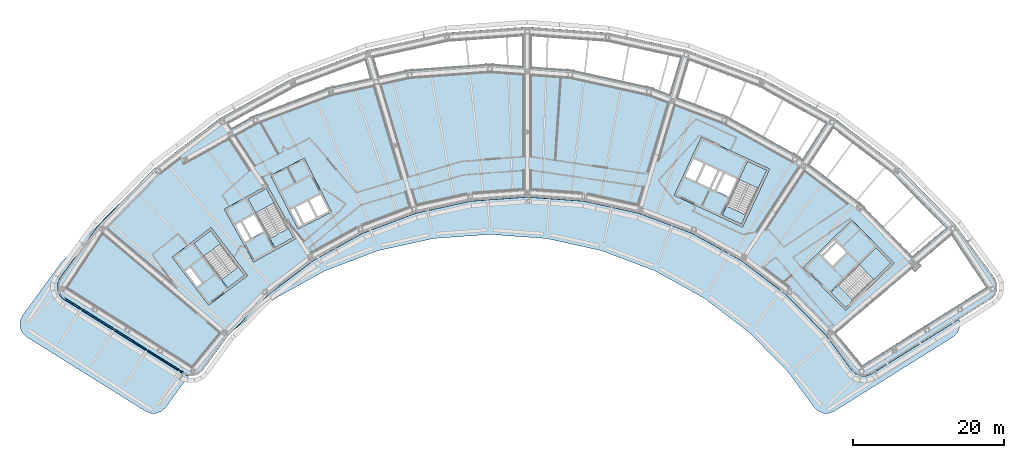
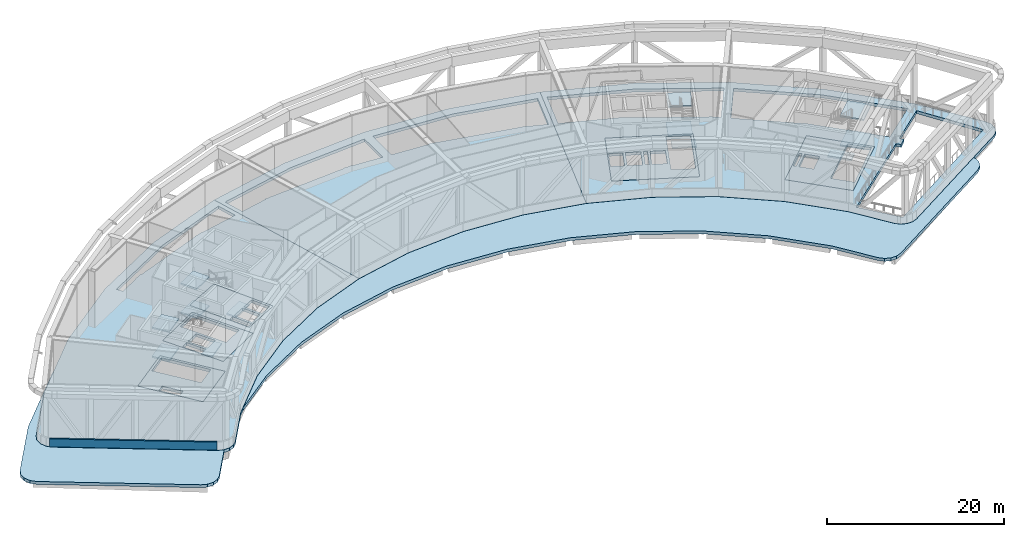
# One storey, part 6 of 27: 22 slabs, 1 wall, 4 elements without a shape of their own.
"""IFC4 building model written with IfcOpenShell, lengths in metres."""

import ifcopenshell
import ifcopenshell.guid

model = None  # the IFC model being written
_history = None  # IfcOwnerHistory: only IFC2X3 demands one
_inside = {}  # id of a spatial element -> (the spatial element, [elements in it])
_under = {}  # id of a project, library or spatial element -> (it, [spatial elements below it])
_declared = {}  # id of a project -> (the project, [libraries it declares])
_typed = {}  # id of a type object -> (the type object, [elements of that type])
_made_of = {}  # id of a material, layer set ... -> (it, [elements and type objects made of it])


def new_model(schema):
    """Start an empty IFC model of exactly this schema.

    Asked for "IFC4X3", IfcOpenShell would pick the latest addendum, in which some entities
    have other attributes; the version numbers below select the first issue.
    IFC2X3 requires an IfcOwnerHistory on every rooted entity: one is made here for all.
    """
    global model, _history
    if schema == "IFC4X3":
        model = ifcopenshell.file(schema_version=(4, 3, 0, 0))
    else:
        model = ifcopenshell.file(schema=schema)
    _inside.clear()
    _under.clear()
    _declared.clear()
    _typed.clear()
    _made_of.clear()
    _history = None
    if model.schema == "IFC2X3":
        org = make("IfcOrganization", Name="unknown")
        user = make(
            "IfcPersonAndOrganization",
            ThePerson=make("IfcPerson", FamilyName="unknown"),
            TheOrganization=org,
        )
        app = make(
            "IfcApplication",
            ApplicationDeveloper=org,
            Version="unknown",
            ApplicationFullName="unknown",
            ApplicationIdentifier="unknown",
        )
        _history = make(
            "IfcOwnerHistory",
            OwningUser=user,
            OwningApplication=app,
            ChangeAction="ADDED",
            CreationDate=0,
        )
    return model


def make(cls, **values):
    """One entity of the class cls with the attributes given. An attribute that is None is left unset."""
    return model.create_entity(
        cls, **{name: value for name, value in values.items() if value is not None}
    )


def rooted(cls, **values):
    """An entity with a GlobalId (a new one), such as an element, a storey or a relation."""
    return make(cls, GlobalId=ifcopenshell.guid.new(), OwnerHistory=_history, **values)


def si_unit(unit_type, name, prefix=None):
    """IfcSIUnit, for example si_unit("LENGTHUNIT", "METRE", prefix="MILLI")."""
    return make("IfcSIUnit", UnitType=unit_type, Prefix=prefix, Name=name)


def assignment(units):
    """IfcUnitAssignment: the units of a project."""
    return None if units is None else make("IfcUnitAssignment", Units=units)


def point(xyz):
    """IfcCartesianPoint."""
    return None if xyz is None else make("IfcCartesianPoint", Coordinates=xyz)


def direction(xyz):
    """IfcDirection."""
    return None if xyz is None else make("IfcDirection", DirectionRatios=xyz)


def frame(location, z_axis=None, x_axis=None):
    """IfcAxis2Placement3D, a coordinate frame: its origin and axes. An axis left out is left unset."""
    return make(
        "IfcAxis2Placement3D",
        Location=point(location),
        Axis=direction(z_axis),
        RefDirection=direction(x_axis),
    )


def frame_2d(location, x_axis=None):
    """IfcAxis2Placement2D, a coordinate frame in the plane: its origin and x axis."""
    return make(
        "IfcAxis2Placement2D", Location=point(location), RefDirection=direction(x_axis)
    )


def origin():
    """The frame at (0, 0, 0) with its axes left unset."""
    return frame((0.0, 0.0, 0.0))


def place(relative_to, where):
    """IfcLocalPlacement: puts the frame where relative to a parent placement (None: the world)."""
    return make(
        "IfcLocalPlacement", PlacementRelTo=relative_to, RelativePlacement=where
    )


def context(
    kind, dimensions, precision=None, world=None, true_north=None, identifier=None
):
    """IfcGeometricRepresentationContext, for example the 3D "Model" context."""
    return make(
        "IfcGeometricRepresentationContext",
        ContextIdentifier=identifier,
        ContextType=kind,
        CoordinateSpaceDimension=dimensions,
        Precision=precision,
        WorldCoordinateSystem=world,
        TrueNorth=true_north,
    )


def subcontext(parent, identifier, kind, view, scale=None):
    """IfcGeometricRepresentationSubContext, for example "Body" below "Model"."""
    return make(
        "IfcGeometricRepresentationSubContext",
        ContextIdentifier=identifier,
        ContextType=kind,
        ParentContext=parent,
        TargetScale=scale,
        TargetView=view,
    )


def project(units=None, contexts=None):
    """IfcProject with its units and contexts."""
    return rooted(
        "IfcProject",
        Name="project",
        RepresentationContexts=contexts,
        UnitsInContext=assignment(units),
    )


def spatial(cls, under=None, at=None, **own):
    """A site, building, storey or space (cls), placed at a placement, below another one or the project."""
    s = rooted(cls, ObjectPlacement=at, **own)
    if under is not None:
        _under.setdefault(under.id(), (under, []))[1].append(s)
    return s


def polyline(points):
    """IfcPolyline through the points."""
    return make("IfcPolyline", Points=[point(p) for p in points])


def profile(cls, at=None, kind="AREA", **sizes):
    """A parametric profile (cls). Its sizes go by their IFC names, for example OverallWidth=200.0."""
    return make(cls, ProfileType=kind, Position=at, **sizes)


def rectangle(**sizes):
    """IfcRectangleProfileDef."""
    return profile("IfcRectangleProfileDef", **sizes)


def outline(outer, holes=None, kind="AREA"):
    """IfcArbitraryClosedProfileDef: a profile drawn as a closed curve; with holes, ...WithVoids."""
    if holes is None:
        return make("IfcArbitraryClosedProfileDef", ProfileType=kind, OuterCurve=outer)
    return make(
        "IfcArbitraryProfileDefWithVoids",
        ProfileType=kind,
        OuterCurve=outer,
        InnerCurves=holes,
    )


def extrude(swept, where, along, depth):
    """IfcExtrudedAreaSolid: the profile swept, set in the frame where, extruded along a direction by depth."""
    return make(
        "IfcExtrudedAreaSolid",
        SweptArea=swept,
        Position=where,
        ExtrudedDirection=direction(along),
        Depth=depth,
    )


def shape(context_of_items, identifier, shape_type, items):
    """IfcShapeRepresentation: the items that make up one representation, for example the "Body"."""
    return make(
        "IfcShapeRepresentation",
        ContextOfItems=context_of_items,
        RepresentationIdentifier=identifier,
        RepresentationType=shape_type,
        Items=items,
    )


def material(Name=None, Category=None):
    """IfcMaterial."""
    return make("IfcMaterial", Name=Name, Category=Category)


def layer(
    of_material, thickness, ventilated=None, Name=None, Category=None, Priority=None
):
    """IfcMaterialLayer: one layer of a wall or slab, of a material (None: an air gap)."""
    return make(
        "IfcMaterialLayer",
        Material=of_material,
        LayerThickness=thickness,
        IsVentilated=ventilated,
        Name=Name,
        Category=Category,
        Priority=Priority,
    )


def layer_set(layers, Name=None):
    """IfcMaterialLayerSet."""
    return make("IfcMaterialLayerSet", MaterialLayers=layers, LayerSetName=Name)


def made_of(thing, what):
    """Note that an element or type object is made of a material, layer set ...; save() writes the relation."""
    if what is not None:
        _made_of.setdefault(what.id(), (what, []))[1].append(thing)
    return thing


def type_object(cls, material=None, **own):
    """A type object (cls), such as IfcWallType, which elements share."""
    return made_of(rooted(cls, **own), material)


def element(
    cls,
    number,
    at=None,
    inside=None,
    cuts=None,
    type_object=None,
    material=None,
    context=None,
    identifier="Body",
    shape_type=None,
    held_by="IfcProductDefinitionShape",
    body=None,
    shapes=None,
    **own,
):
    """One element of the class cls, such as IfcWall. Its Tag is "e" and its number.

    at: its placement. inside: the storey or other place that contains it. cuts: it is an
    opening in that element (IfcRelVoidsElement). A single representation is given by context,
    identifier, shape_type and body (its items); several are given by shapes. held_by: the class
    of the entity that holds the representations. save() writes the other relations.
    """
    e = rooted(cls, Tag="e%d" % number, ObjectPlacement=at, **own)
    if body is not None:
        shapes = [shape(context, identifier, shape_type, body)]
    if shapes is not None:
        e.Representation = make(held_by, Representations=shapes)
    if inside is not None:
        _inside.setdefault(inside.id(), (inside, []))[1].append(e)
    if cuts is not None:
        rooted(
            "IfcRelVoidsElement", RelatingBuildingElement=cuts, RelatedOpeningElement=e
        )
    if type_object is not None:
        _typed.setdefault(type_object.id(), (type_object, []))[1].append(e)
    return made_of(e, material)


def aggregate(whole, parts):
    """IfcRelAggregates: a whole, such as a stair, and the parts it consists of."""
    return rooted("IfcRelAggregates", RelatingObject=whole, RelatedObjects=parts)


def save(model, path):
    """Write the relations noted so far, then the file.

    IfcRelAggregates (storeys below a building ...), IfcRelContainedInSpatialStructure (elements
    in a storey), IfcRelDefinesByType, IfcRelAssociatesMaterial and IfcRelDeclares: one each for
    every whole, place, type object, material and project.
    """
    for whole, parts in _under.values():
        aggregate(whole, parts)
    for where, things in _inside.values():
        rooted(
            "IfcRelContainedInSpatialStructure",
            RelatedElements=things,
            RelatingStructure=where,
        )
    for kind, things in _typed.values():
        rooted("IfcRelDefinesByType", RelatedObjects=things, RelatingType=kind)
    for what, things in _made_of.values():
        rooted("IfcRelAssociatesMaterial", RelatedObjects=things, RelatingMaterial=what)
    for by, libraries in _declared.values():
        rooted("IfcRelDeclares", RelatingContext=by, RelatedDefinitions=libraries)
    model.write(path)


model = new_model("IFC4")

# Units and contexts
model_context = context("Model", 3, precision=1e-05, world=origin(), true_north=direction((0.0, 1.0)))
body_context = subcontext(model_context, "Body", "Model", "MODEL_VIEW")
ifc_project = project(units=[si_unit("LENGTHUNIT", "METRE"), si_unit("AREAUNIT", "SQUARE_METRE"), si_unit("VOLUMEUNIT", "CUBIC_METRE"), si_unit("PLANEANGLEUNIT", "RADIAN"), si_unit("MASSUNIT", "GRAM", prefix="KILO")], contexts=[model_context])

# Site, building, storey
site_placement = place(None, origin())
site = spatial("IfcSite", under=ifc_project, at=site_placement, CompositionType="ELEMENT")
building_placement = place(site_placement, origin())
building = spatial("IfcBuilding", under=site, at=building_placement, Name="Tuul Gate Civic Tower", CompositionType="ELEMENT")
storey_placement = place(building_placement, frame((0.0, 0.0, 201.5)))
storey = spatial("IfcBuildingStorey", under=building, at=storey_placement, Name="Wind floor 1", CompositionType="ELEMENT", Elevation=201.5)

# Slabs
ifc_material_1 = material(Name="Concrete C40/50", Category="concrete")
ifc_layer_1 = layer(ifc_material_1, 0.39990234375)
ifc_layer_set_1 = layer_set([ifc_layer_1], Name="Concrete C40/50")
slab_type_1 = type_object("IfcSlabType", Name="Core floor slab 400", PredefinedType="FLOOR", material=ifc_layer_set_1)
slab_1_placement = place(storey_placement, frame((0.0, 0.0, -0.400146484375)))
element("IfcSlab", 1, at=slab_1_placement, inside=storey, type_object=slab_type_1, Name="FLOOR SLAB", PredefinedType="FLOOR", context=body_context, shape_type="SweptSolid", body=[
    extrude(outline(polyline([(-31.10009765625, -13.7890625), (-35.946044921875, -7.423828125), (-41.11767578125, -11.361572265625), (-36.271484375, -17.726806640625), (-31.10009765625, -13.7890625)]), holes=[polyline([(-37.19287109375, -14.783203125), (-38.737548828125, -12.75439453125), (-39.45361328125, -13.299560546875), (-37.908935546875, -15.328369140625), (-37.19287109375, -14.783203125)]), polyline([(-32.33935546875, -12.65771484375), (-34.56591796875, -14.352783203125), (-38.229736328125, -9.54052734375), (-36.003173828125, -7.845458984375), (-32.33935546875, -12.65771484375)])]), origin(), (0.0, 0.0, 1.0), 0.400146484375),
])
slab_2_placement = place(storey_placement, frame((0.0, 0.0, -0.400146484375)))
element("IfcSlab", 2, at=slab_2_placement, inside=storey, type_object=slab_type_1, Name="FLOOR SLAB", PredefinedType="FLOOR", context=body_context, shape_type="SweptSolid", body=[
    extrude(outline(polyline([(-24.638916015625, -8.846923828125), (-28.51708984375, -1.849853515625), (-34.2021484375, -5.0009765625), (-30.32421875, -11.998046875), (-24.638916015625, -8.846923828125)]), holes=[polyline([(-29.0185546875, -7.958740234375), (-30.254638671875, -5.728515625), (-31.785400390625, -6.576904296875), (-30.54931640625, -8.80712890625), (-29.0185546875, -7.958740234375)]), polyline([(-30.8115234375, -8.95263671875), (-32.047607421875, -6.72216796875), (-32.8349609375, -7.158447265625), (-31.5986328125, -9.388916015625), (-30.8115234375, -8.95263671875)]), polyline([(-25.702392578125, -7.548828125), (-28.14990234375, -8.905517578125), (-31.08203125, -3.615234375), (-28.63427734375, -2.2587890625), (-25.702392578125, -7.548828125)])]), origin(), (0.0, 0.0, 1.0), 0.400146484375),
])
slab_3_placement = place(storey_placement, frame((0.0, 0.0, -0.400146484375)))
element("IfcSlab", 3, at=slab_3_placement, inside=storey, type_object=slab_type_1, Name="FLOOR SLAB", PredefinedType="FLOOR", context=body_context, shape_type="SweptSolid", body=[
    extrude(outline(polyline([(48.117919921875, -18.43310546875), (54.545166015625, -12.1328125), (48.945068359375, -6.419921875), (42.517822265625, -12.719970703125), (48.117919921875, -18.43310546875)]), holes=[polyline([(46.373779296875, -12.510986328125), (48.19482421875, -10.725830078125), (46.969970703125, -9.47607421875), (45.14892578125, -11.26123046875), (46.373779296875, -12.510986328125)]), polyline([(44.93896484375, -11.046875), (46.760009765625, -9.261962890625), (46.514892578125, -9.011962890625), (44.69384765625, -10.797119140625), (44.93896484375, -11.046875)]), polyline([(49.086181640625, -17.062744140625), (47.12744140625, -15.064208984375), (52.160888671875, -10.130126953125), (54.11962890625, -12.128662109375), (49.086181640625, -17.062744140625)])]), origin(), (0.0, 0.0, 1.0), 0.400146484375),
])
slab_4_placement = place(storey_placement, frame((0.0, 0.0, -0.400146484375)))
element("IfcSlab", 4, at=slab_4_placement, inside=storey, type_object=slab_type_1, Name="FLOOR SLAB", PredefinedType="FLOOR", context=body_context, shape_type="SweptSolid", body=[
    extrude(outline(polyline([(34.465087890625, -7.385986328125), (38.056884765625, 0.31787109375), (28.993896484375, 4.543701171875), (25.40185546875, -3.159912109375), (34.465087890625, -7.385986328125)]), holes=[polyline([(32.60888671875, -3.32080078125), (33.6865234375, -1.009765625), (32.1005859375, -0.27001953125), (31.02294921875, -2.581298828125), (32.60888671875, -3.32080078125)]), polyline([(30.0712890625, -2.137451171875), (31.14892578125, 0.173583984375), (29.562744140625, 0.9130859375), (28.4853515625, -1.39794921875), (30.0712890625, -2.137451171875)]), polyline([(30.751220703125, -2.454345703125), (31.82861328125, -0.143310546875), (31.4208984375, 0.046875), (30.34326171875, -2.264404296875), (30.751220703125, -2.454345703125)]), polyline([(28.21337890625, -1.27099609375), (29.291015625, 1.0400390625), (27.8408203125, 1.71630859375), (26.76318359375, -0.594970703125), (28.21337890625, -1.27099609375)]), polyline([(34.889892578125, -5.7626953125), (32.353759765625, -4.580078125), (35.120849609375, 1.354736328125), (37.6572265625, 0.17236328125), (34.889892578125, -5.7626953125)])]), origin(), (0.0, 0.0, 1.0), 0.400146484375),
])
ifc_material_2 = material(Name="Concrete C40/50", Category="concrete")
ifc_layer_2 = layer(ifc_material_2, 0.39990234375)
ifc_layer_set_2 = layer_set([ifc_layer_2], Name="Concrete C40/50")
slab_type_2 = type_object("IfcSlabType", Name="Core floor slab 400 non-bearing", PredefinedType="FLOOR", material=ifc_layer_set_2)
slab_5_placement = place(storey_placement, frame((0.0, 0.0, -0.400146484375)))
element("IfcSlab", 5, at=slab_5_placement, inside=storey, type_object=slab_type_2, Name="FLOOR SLAB", PredefinedType="FLOOR", context=body_context, shape_type="SweptSolid", body=[
    extrude(outline(polyline([(-19.98095703125, -5.365966796875), (-23.613037109375, 1.761962890625), (-28.068115234375, -0.508056640625), (-24.43603515625, -7.635986328125), (-19.98095703125, -5.365966796875)]), holes=[polyline([(-20.384521484375, -5.23486328125), (-21.47412109375, -3.096435546875), (-22.899658203125, -3.822998046875), (-21.81005859375, -5.961181640625), (-20.384521484375, -5.23486328125)]), polyline([(-22.077392578125, -6.097412109375), (-23.1669921875, -3.958984375), (-24.726318359375, -4.753662109375), (-23.63671875, -6.89208984375), (-22.077392578125, -6.097412109375)]), polyline([(-23.8359375, -7.161865234375), (-24.99365234375, -4.889892578125), (-25.5283203125, -5.162109375), (-24.37060546875, -7.434326171875), (-23.8359375, -7.161865234375)])]), origin(), (0.0, 0.0, 1.0), 0.400146484375),
])

# Stair, slabs
ifc_material_3 = material(Name="Concrete C40/50", Category="concrete")
stair_type = type_object("IfcStairType", Name="Exit stair", PredefinedType="HALF_TURN_STAIR", material=ifc_material_3)
stair_1_placement = place(storey_placement, origin())
stair_1 = element("IfcStair", 6, at=stair_1_placement, inside=storey, type_object=stair_type, Name="Wind floor 1 ST-1", PredefinedType="HALF_TURN_STAIR")
ifc_material_4 = material(Name="Concrete C40/50", Category="concrete")
ifc_layer_3 = layer(ifc_material_4, 0.199951171875)
ifc_layer_set_3 = layer_set([ifc_layer_3], Name="Concrete C40/50")
slab_type_3 = type_object("IfcSlabType", Name="Exit stair landing", PredefinedType="LANDING", material=ifc_layer_set_3)
slab_6_placement = place(storey_placement, frame((0.0, 0.0, 1.800048828125)))
slab_6 = element("IfcSlab", 7, at=slab_6_placement, type_object=slab_type_3, Name="ST-1 landing 1", PredefinedType="LANDING", context=body_context, shape_type="SweptSolid", body=[
    extrude(outline(polyline([(-34.699462890625, -9.554931640625), (-36.9287109375, -11.252197265625), (-38.23193359375, -9.540283203125), (-36.0029296875, -7.843017578125), (-34.699462890625, -9.554931640625)])), origin(), (0.0, 0.0, 1.0), 0.199951171875),
])
slab_7_placement = place(storey_placement, frame((0.0, 0.0, 3.800048828125)))
slab_7 = element("IfcSlab", 8, at=slab_7_placement, type_object=slab_type_3, Name="ST-1 landing 2", PredefinedType="LANDING", context=body_context, shape_type="SweptSolid", body=[
    extrude(outline(polyline([(-31.519287109375, -13.732177734375), (-33.748291015625, -15.42919921875), (-34.567138671875, -14.353759765625), (-32.338134765625, -12.65673828125), (-31.519287109375, -13.732177734375)])), origin(), (0.0, 0.0, 1.0), 0.199951171875),
])
slab_8_placement = place(storey_placement, frame((0.0, 0.0, 5.800048828125)))
slab_8 = element("IfcSlab", 9, at=slab_8_placement, type_object=slab_type_3, Name="ST-1 landing 3", PredefinedType="LANDING", context=body_context, shape_type="SweptSolid", body=[
    extrude(outline(polyline([(-34.699462890625, -9.554931640625), (-36.9287109375, -11.252197265625), (-38.23193359375, -9.540283203125), (-36.0029296875, -7.843017578125), (-34.699462890625, -9.554931640625)])), origin(), (0.0, 0.0, 1.0), 0.199951171875),
])
aggregate(stair_1, [slab_6, slab_7, slab_8])

stair_2_placement = place(storey_placement, origin())
stair_2 = element("IfcStair", 10, at=stair_2_placement, inside=storey, type_object=stair_type, Name="Wind floor 1 ST-2", PredefinedType="HALF_TURN_STAIR")
slab_9_placement = place(storey_placement, frame((0.0, 0.0, 1.800048828125)))
slab_9 = element("IfcSlab", 11, at=slab_9_placement, type_object=slab_type_3, Name="ST-2 landing 1", PredefinedType="LANDING", context=body_context, shape_type="SweptSolid", body=[
    extrude(outline(polyline([(-27.5908203125, -4.138427734375), (-30.041015625, -5.49658203125), (-31.084228515625, -3.61474609375), (-28.6337890625, -2.256591796875), (-27.5908203125, -4.138427734375)])), origin(), (0.0, 0.0, 1.0), 0.199951171875),
])
slab_10_placement = place(storey_placement, frame((0.0, 0.0, 3.800048828125)))
slab_10 = element("IfcSlab", 12, at=slab_10_placement, type_object=slab_type_3, Name="ST-2 landing 2", PredefinedType="LANDING", context=body_context, shape_type="SweptSolid", body=[
    extrude(outline(polyline([(-25.045654296875, -8.730224609375), (-27.49609375, -10.08837890625), (-28.1513671875, -8.90625), (-25.700927734375, -7.548095703125), (-25.045654296875, -8.730224609375)])), origin(), (0.0, 0.0, 1.0), 0.199951171875),
])
slab_11_placement = place(storey_placement, frame((0.0, 0.0, 5.800048828125)))
slab_11 = element("IfcSlab", 13, at=slab_11_placement, type_object=slab_type_3, Name="ST-2 landing 3", PredefinedType="LANDING", context=body_context, shape_type="SweptSolid", body=[
    extrude(outline(polyline([(-27.5908203125, -4.138427734375), (-30.041015625, -5.49658203125), (-31.084228515625, -3.61474609375), (-28.6337890625, -2.256591796875), (-27.5908203125, -4.138427734375)])), origin(), (0.0, 0.0, 1.0), 0.199951171875),
])
aggregate(stair_2, [slab_9, slab_10, slab_11])

stair_3_placement = place(storey_placement, origin())
stair_3 = element("IfcStair", 14, at=stair_3_placement, inside=storey, type_object=stair_type, Name="Wind floor 1 ST-3", PredefinedType="HALF_TURN_STAIR")
slab_12_placement = place(storey_placement, frame((0.0, 0.0, 1.800048828125)))
slab_12 = element("IfcSlab", 15, at=slab_12_placement, type_object=slab_type_3, Name="ST-3 landing 1", PredefinedType="LANDING", context=body_context, shape_type="SweptSolid", body=[
    extrude(outline(polyline([(51.871337890625, -14.3349609375), (49.91015625, -12.334228515625), (52.160888671875, -10.1279296875), (54.1220703125, -12.128662109375), (51.871337890625, -14.3349609375)])), origin(), (0.0, 0.0, 1.0), 0.199951171875),
])
slab_13_placement = place(storey_placement, frame((0.0, 0.0, 3.800048828125)))
slab_13 = element("IfcSlab", 16, at=slab_13_placement, type_object=slab_type_3, Name="ST-3 landing 2", PredefinedType="LANDING", context=body_context, shape_type="SweptSolid", body=[
    extrude(outline(polyline([(48.1220703125, -18.010009765625), (46.1611328125, -16.00927734375), (47.126220703125, -15.06298828125), (49.08740234375, -17.063720703125), (48.1220703125, -18.010009765625)])), origin(), (0.0, 0.0, 1.0), 0.199951171875),
])
slab_14_placement = place(storey_placement, frame((0.0, 0.0, 5.800048828125)))
slab_14 = element("IfcSlab", 17, at=slab_14_placement, type_object=slab_type_3, Name="ST-3 landing 3", PredefinedType="LANDING", context=body_context, shape_type="SweptSolid", body=[
    extrude(outline(polyline([(51.871337890625, -14.3349609375), (49.91015625, -12.334228515625), (52.160888671875, -10.1279296875), (54.1220703125, -12.128662109375), (51.871337890625, -14.3349609375)])), origin(), (0.0, 0.0, 1.0), 0.199951171875),
])
aggregate(stair_3, [slab_12, slab_13, slab_14])

stair_4_placement = place(storey_placement, origin())
stair_4 = element("IfcStair", 18, at=stair_4_placement, inside=storey, type_object=stair_type, Name="Wind floor 1 ST-4", PredefinedType="HALF_TURN_STAIR")
slab_15_placement = place(storey_placement, frame((0.0, 0.0, 1.800048828125)))
slab_15 = element("IfcSlab", 19, at=slab_15_placement, type_object=slab_type_3, Name="ST-4 landing 1", PredefinedType="LANDING", context=body_context, shape_type="SweptSolid", body=[
    extrude(outline(polyline([(36.538818359375, -2.230224609375), (33.999755859375, -1.046142578125), (35.1201171875, 1.35693359375), (37.659423828125, 0.173095703125), (36.538818359375, -2.230224609375)])), origin(), (0.0, 0.0, 1.0), 0.199951171875),
])
slab_16_placement = place(storey_placement, frame((0.0, 0.0, 3.800048828125)))
slab_16 = element("IfcSlab", 20, at=slab_16_placement, type_object=slab_type_3, Name="ST-4 landing 2", PredefinedType="LANDING", context=body_context, shape_type="SweptSolid", body=[
    extrude(outline(polyline([(34.3203125, -6.98828125), (31.781005859375, -5.804443359375), (32.352294921875, -4.57958984375), (34.891357421875, -5.763427734375), (34.3203125, -6.98828125)])), origin(), (0.0, 0.0, 1.0), 0.199951171875),
])
slab_17_placement = place(storey_placement, frame((0.0, 0.0, 5.800048828125)))
slab_17 = element("IfcSlab", 21, at=slab_17_placement, type_object=slab_type_3, Name="ST-4 landing 3", PredefinedType="LANDING", context=body_context, shape_type="SweptSolid", body=[
    extrude(outline(polyline([(36.538818359375, -2.230224609375), (33.999755859375, -1.046142578125), (35.1201171875, 1.35693359375), (37.659423828125, 0.173095703125), (36.538818359375, -2.230224609375)])), origin(), (0.0, 0.0, 1.0), 0.199951171875),
])
aggregate(stair_4, [slab_15, slab_16, slab_17])

# Slabs
ifc_material_5 = material(Name="Concrete C35/45", Category="concrete")
ifc_layer_4 = layer(ifc_material_5, 0.39990234375)
ifc_layer_set_4 = layer_set([ifc_layer_4], Name="Concrete C35/45")
slab_type_4 = type_object("IfcSlabType", Name="STR-FLOOR-SLAB-400", PredefinedType="FLOOR", material=ifc_layer_set_4)
slab_18_placement = place(storey_placement, frame((0.0, 0.0, -0.400146484375)))
element("IfcSlab", 22, at=slab_18_placement, inside=storey, type_object=slab_type_4, Name="Wind floor 1/slab/W", PredefinedType="FLOOR", context=body_context, shape_type="SweptSolid", body=[
    extrude(outline(polyline([(-15.89404296875, -8.2041015625), (-8.875, -5.549072265625), (-15.30908203125, 16.072998046875), (-25.376953125, 12.264892578125), (-34.7919921875, 7.0458984375), (-43.35595703125, 0.52587890625), (-50.89111328125, -7.160888671875), (-55.971923828125, -14.117919921875), (-56.30810546875, -14.861083984375), (-56.320068359375, -15.677001953125), (-56.006103515625, -16.428955078125), (-55.416015625, -16.992919921875), (-39.68603515625, -26.822998046875), (-38.991943359375, -27.093017578125), (-38.2470703125, -27.090087890625), (-37.554931640625, -26.81494140625), (-37.011962890625, -26.305908203125), (-33.681884765625, -21.748046875), (-28.428955078125, -16.388916015625), (-22.4580078125, -11.842041015625), (-15.89404296875, -8.2041015625)]), holes=[polyline([(-36.27197265625, -17.72705078125), (-41.117919921875, -11.362060546875), (-35.946044921875, -7.424072265625), (-31.10009765625, -13.7890625), (-36.27197265625, -17.72705078125)]), polyline([(-30.323974609375, -11.998046875), (-34.201904296875, -5.0009765625), (-28.51708984375, -1.85009765625), (-24.638916015625, -8.846923828125), (-30.323974609375, -11.998046875)]), polyline([(-24.43603515625, -7.635986328125), (-28.068115234375, -0.508056640625), (-23.613037109375, 1.761962890625), (-19.98095703125, -5.365966796875), (-24.43603515625, -7.635986328125)]), polyline([(-19.76708984375, 11.2548828125), (-20.243896484375, 11.074951171875), (-20.741943359375, 10.965087890625), (-20.72607421875, 10.89208984375), (-29.823974609375, 7.452880859375), (-29.860107421875, 7.51806640625), (-30.305908203125, 7.27001953125), (-30.782958984375, 7.090087890625), (-30.757080078125, 7.02001953125), (-33.22509765625, 5.652099609375), (-33.678955078125, 6.34912109375), (-24.89208984375, 11.218994140625), (-15.49609375, 14.77197265625), (-14.7548828125, 12.283935546875), (-19.740966796875, 11.18505859375), (-19.76708984375, 11.2548828125)])]), origin(), (0.0, 0.0, 1.0), 0.400146484375),
])
slab_19_placement = place(storey_placement, frame((0.0, 0.0, -0.400146484375)))
element("IfcSlab", 23, at=slab_19_placement, inside=storey, type_object=slab_type_4, Name="Wind floor 1/slab/M", PredefinedType="FLOOR", context=body_context, shape_type="SweptSolid", body=[
    extrude(outline(polyline([(13.425048828125, -3.93408203125), (20.75390625, -5.549072265625), (27.18798828125, 16.072998046875), (16.676025390625, 18.388916015625), (5.93994140625, 19.1669921875), (-4.7958984375, 18.388916015625), (-15.30810546875, 16.072998046875), (-15.30908203125, 16.072998046875), (-8.875, -5.549072265625), (-8.8740234375, -5.549072265625), (-1.544921875, -3.93408203125), (5.93994140625, -3.39208984375), (13.425048828125, -3.93408203125)]), holes=[polyline([(26.320068359375, 15.0859375), (24.8330078125, 10.087890625), (22.7060546875, 10.89208984375), (22.721923828125, 10.965087890625), (22.22412109375, 11.074951171875), (21.7470703125, 11.2548828125), (21.720947265625, 11.18505859375), (12.221923828125, 13.279052734375), (12.22705078125, 13.35302734375), (11.718017578125, 13.389892578125), (11.219970703125, 13.4990234375), (11.2041015625, 13.427001953125), (6.489990234375, 13.76904296875), (6.489990234375, 17.97412109375), (16.510009765625, 17.248046875), (26.320068359375, 15.0859375)]), polyline([(-4.631103515625, 17.248046875), (5.389892578125, 17.97412109375), (5.389892578125, 13.847900390625), (1.50390625, 14.1298828125), (1.4990234375, 14.2041015625), (0.989990234375, 14.1669921875), (0.48095703125, 14.2041015625), (0.47607421875, 14.1298828125), (-9.22509765625, 13.427001953125), (-9.240966796875, 13.4990234375), (-9.739013671875, 13.389892578125), (-10.248046875, 13.35302734375), (-10.242919921875, 13.279052734375), (-13.677978515625, 12.52197265625), (-14.44091796875, 15.0859375), (-4.631103515625, 17.248046875)])]), origin(), (0.0, 0.0, 1.0), 0.400146484375),
])
slab_20_placement = place(storey_placement, frame((0.0, 0.0, -0.400146484375)))
element("IfcSlab", 24, at=slab_20_placement, inside=storey, type_object=slab_type_4, Name="Wind floor 1/slab/E", PredefinedType="FLOOR", context=body_context, shape_type="SweptSolid", body=[
    extrude(outline(polyline([(50.8720703125, -27.093017578125), (51.56591796875, -26.822998046875), (67.2958984375, -16.992919921875), (67.885009765625, -16.428955078125), (68.199951171875, -15.677001953125), (68.18798828125, -14.861083984375), (67.85107421875, -14.117919921875), (62.77099609375, -7.160888671875), (55.235107421875, 0.52587890625), (46.6708984375, 7.0458984375), (37.256103515625, 12.264892578125), (27.18798828125, 16.072998046875), (20.75390625, -5.549072265625), (27.77294921875, -8.2041015625), (34.3369140625, -11.842041015625), (40.30810546875, -16.388916015625), (45.56201171875, -21.748046875), (48.89111328125, -26.305908203125), (49.43505859375, -26.81494140625), (50.126953125, -27.090087890625), (50.8720703125, -27.093017578125)]), holes=[polyline([(56.924072265625, -12.837890625), (57.35400390625, -13.278076171875), (58.139892578125, -12.508056640625), (57.764892578125, -12.125), (62.195068359375, -8.3701171875), (66.842041015625, -15.39697265625), (50.35791015625, -25.777099609375), (46.7900390625, -21.428955078125), (56.924072265625, -12.837890625)]), polyline([(48.945068359375, -6.419921875), (54.544921875, -12.133056640625), (48.117919921875, -18.43310546875), (42.51806640625, -12.719970703125), (48.945068359375, -6.419921875)]), polyline([(49.89501953125, -4.096923828125), (49.842041015625, -4.14892578125), (43.280029296875, 0.846923828125), (46.47900390625, 5.7470703125), (54.471923828125, -0.337890625), (61.5048828125, -7.512939453125), (56.992919921875, -11.337890625), (50.613037109375, -4.830078125), (50.657958984375, -4.77099609375), (50.251953125, -4.4619140625), (49.89501953125, -4.096923828125)]), polyline([(28.993896484375, 4.5439453125), (38.056884765625, 0.318115234375), (34.465087890625, -7.385986328125), (25.402099609375, -3.159912109375), (28.993896484375, 4.5439453125)]), polyline([(45.55810546875, 6.34912109375), (42.402099609375, 1.514892578125), (42.10400390625, 1.741943359375), (42.139892578125, 1.806884765625), (41.694091796875, 2.054931640625), (41.2880859375, 2.364013671875), (41.242919921875, 2.304931640625), (32.737060546875, 7.02001953125), (32.762939453125, 7.090087890625), (32.285888671875, 7.27001953125), (31.840087890625, 7.51806640625), (31.803955078125, 7.452880859375), (25.864990234375, 9.697998046875), (27.375, 14.77197265625), (36.77099609375, 11.218994140625), (45.55810546875, 6.34912109375)])]), origin(), (0.0, 0.0, 1.0), 0.400146484375),
])
ifc_material_6 = material(Name="Concrete C40/50", Category="concrete")
ifc_layer_5 = layer(ifc_material_6, 0.39990234375)
ifc_layer_set_5 = layer_set([ifc_layer_5], Name="Concrete C40/50")
slab_type_5 = type_object("IfcSlabType", Name="STR-TERRACE-SLAB-400", PredefinedType="ROOF", material=ifc_layer_set_5)
slab_21_placement = place(storey_placement, frame((0.0, 0.0, -0.400146484375)))
element("IfcSlab", 25, at=slab_21_placement, inside=storey, type_object=slab_type_5, Name="terrace 1", PredefinedType="ROOF", context=body_context, shape_type="SweptSolid", body=[
    extrude(outline(polyline([(63.238037109375, -19.81103515625), (63.25, -20.6259765625), (62.93505859375, -21.37890625), (62.345947265625, -21.943115234375), (46.615966796875, -31.77197265625), (45.922119140625, -32.04296875), (45.177001953125, -32.0400390625), (44.485107421875, -31.764892578125), (43.94091796875, -31.256103515625), (40.612060546875, -26.697998046875), (35.35888671875, -21.337890625), (29.387939453125, -16.7919921875), (22.823974609375, -13.154052734375), (15.803955078125, -10.4990234375), (8.47509765625, -8.884033203125), (0.989990234375, -8.342041015625), (-6.4951171875, -8.884033203125), (-13.823974609375, -10.4990234375), (-20.843994140625, -13.154052734375), (-27.407958984375, -16.7919921875), (-32.9892578125, -21.041259765625), (-28.428955078125, -16.388916015625), (-22.4580078125, -11.842041015625), (-15.89404296875, -8.2041015625), (-8.8740234375, -5.549072265625), (-1.544921875, -3.93408203125), (5.93994140625, -3.39208984375), (13.425048828125, -3.93408203125), (20.75390625, -5.549072265625), (27.77294921875, -8.2041015625), (34.3369140625, -11.842041015625), (40.30810546875, -16.388916015625), (45.56201171875, -21.748046875), (48.89111328125, -26.305908203125), (49.43505859375, -26.81494140625), (50.126953125, -27.090087890625), (50.8720703125, -27.093017578125), (51.56591796875, -26.822998046875), (63.138427734375, -19.591064453125), (63.238037109375, -19.81103515625)])), origin(), (0.0, 0.0, 1.0), 0.400146484375),
])
slab_22_placement = place(storey_placement, frame((0.0, 0.0, -0.400146484375)))
element("IfcSlab", 26, at=slab_22_placement, inside=storey, type_object=slab_type_5, Name="terrace 2", PredefinedType="ROOF", context=body_context, shape_type="SweptSolid", body=[
    extrude(outline(polyline([(-41.9609375, -31.256103515625), (-42.5048828125, -31.764892578125), (-43.197021484375, -32.0400390625), (-43.94189453125, -32.04296875), (-44.635986328125, -31.77197265625), (-60.365966796875, -21.943115234375), (-60.955078125, -21.37890625), (-61.27001953125, -20.6259765625), (-61.258056640625, -19.81103515625), (-60.922119140625, -19.06689453125), (-55.841064453125, -12.111083984375), (-48.305908203125, -4.424072265625), (-47.920166015625, -4.13037109375), (-50.89111328125, -7.160888671875), (-55.971923828125, -14.117919921875), (-56.30810546875, -14.861083984375), (-56.320068359375, -15.677001953125), (-56.006103515625, -16.428955078125), (-55.416015625, -16.992919921875), (-39.68603515625, -26.822998046875), (-38.991943359375, -27.093017578125), (-38.920166015625, -27.0927734375), (-41.9609375, -31.256103515625)])), origin(), (0.0, 0.0, 1.0), 0.400146484375),
])

# Wall
ifc_material_7 = material(Name="Concrete C40/50", Category="concrete")
ifc_layer_6 = layer(ifc_material_7, 0.199951171875)
ifc_layer_set_6 = layer_set([ifc_layer_6], Name="Concrete C40/50")
wall_type = type_object("IfcWallType", Name="Crown parapet", PredefinedType="PARAPET", material=ifc_layer_set_6)
wall_placement = place(storey_placement, frame((-55.656982421875, -16.66552734375, 0.0), z_axis=(0.0, 0.0, 1.0), x_axis=(0.848031662183, -0.529945563181, 0.0)))
element("IfcWall", 27, at=wall_placement, inside=storey, type_object=wall_type, Name="Parapet", PredefinedType="PARAPET", context=body_context, shape_type="SweptSolid", body=[
    extrude(rectangle(XDim=18.91259765625, YDim=0.199951171875, at=frame_2d((9.456298828125, 0.0))), origin(), (0.0, 0.0, 1.0), 1.10009765625),
])

save(model, "model.ifc")
